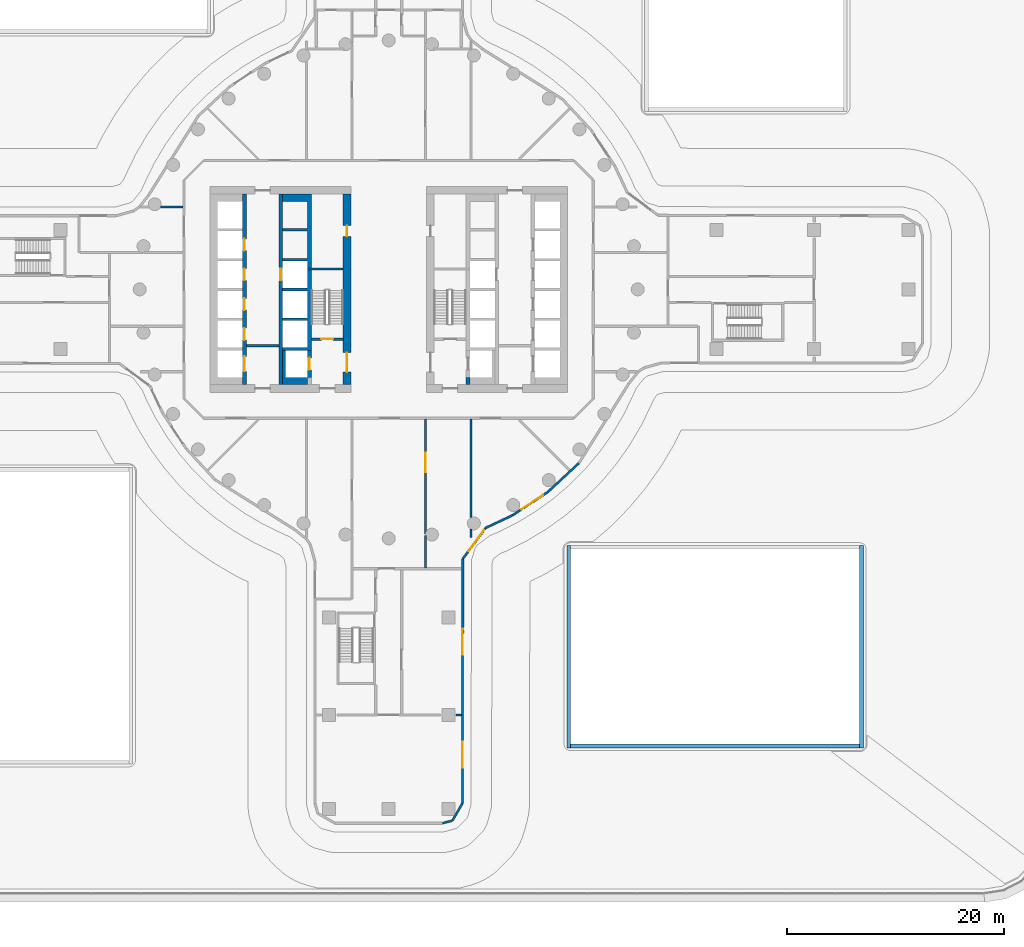
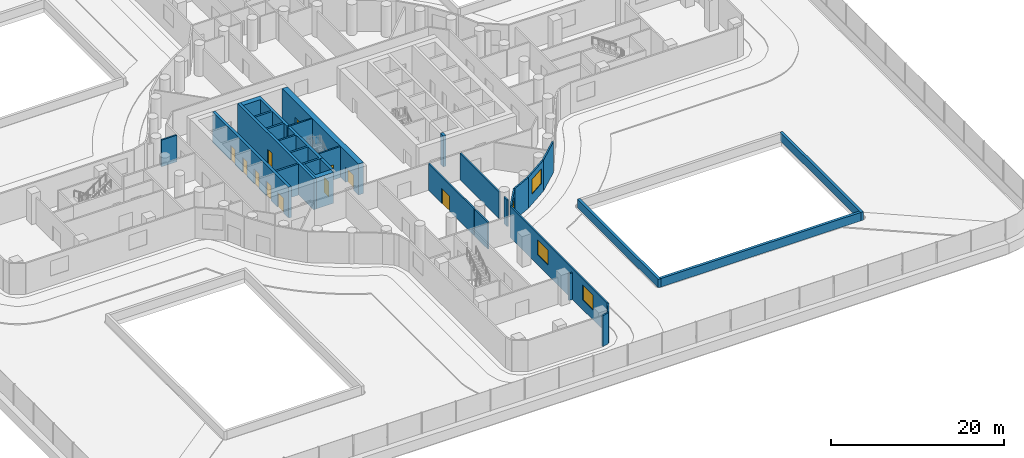
# One storey, part 24 of 37: 26 walls, 11 doors, 4 windows, 15 openings.
"""IFC4 building model written with IfcOpenShell, lengths in metres."""

from ifc_helpers import new_model, si_unit, direction, frame, frame_2d, origin, place, context, subcontext, project, spatial, polyline, rectangle, outline, extrude, material, layer, layer_set, type_object, element, fill, save


model = new_model("IFC4")

# Units and contexts
model_context = context("Model", 3, precision=1e-05, world=origin(), true_north=direction((0.0, 1.0)))
body_context = subcontext(model_context, "Body", "Model", "MODEL_VIEW")
ifc_project = project(units=[si_unit("LENGTHUNIT", "METRE"), si_unit("AREAUNIT", "SQUARE_METRE"), si_unit("VOLUMEUNIT", "CUBIC_METRE"), si_unit("PLANEANGLEUNIT", "RADIAN"), si_unit("MASSUNIT", "GRAM", prefix="KILO")], contexts=[model_context])

# Site, building, storey
site_placement = place(None, origin())
site = spatial("IfcSite", under=ifc_project, at=site_placement, CompositionType="ELEMENT")
building_placement = place(site_placement, origin())
building = spatial("IfcBuilding", under=site, at=building_placement, Name="Tamarind Cross Interchange Tower", CompositionType="ELEMENT")
storey_placement = place(building_placement, frame((0.0, 0.0, 29.5)))
storey = spatial("IfcBuildingStorey", under=building, at=storey_placement, Name="L05", CompositionType="ELEMENT", Elevation=29.5)

# Wall, openings, doors
ifc_material_1 = material(Name="Concrete C80", Category="concrete")
ifc_layer_1 = layer(ifc_material_1, 0.699951171875)
ifc_layer_set_1 = layer_set([ifc_layer_1], Name="Concrete C80")
wall_type_1 = type_object("IfcWallType", Name="Core wall 700 mm Concrete C80", PredefinedType="SHEAR", material=ifc_layer_set_1)
wall_1_placement = place(storey_placement, frame((-3.85009765625, -8.800048828125, 0.0), z_axis=(0.0, 0.0, 1.0), x_axis=(0.0, 1.0, 0.0)))
wall_1 = element("IfcWall", 1, at=wall_1_placement, inside=storey, type_object=wall_type_1, Name="Core wall CWL-L05-W-IN", PredefinedType="SHEAR", context=body_context, shape_type="SweptSolid", body=[
    extrude(rectangle(XDim=17.60009765625, YDim=0.699951171875, at=frame_2d((8.800048828125, 0.0))), origin(), (0.0, 0.0, 1.0), 4.360107421875),
])
opening_1_placement = place(wall_1_placement, frame((1.14990234375, 0.0, 0.0)))
opening_1 = element("IfcOpeningElement", 2, at=opening_1_placement, cuts=wall_1, Name="Opening DCW4", PredefinedType="OPENING", context=body_context, shape_type="SweptSolid", body=[
    extrude(rectangle(XDim=1.800048828125, YDim=2.10009765625, at=frame_2d((0.89990234375, 1.050048828125))), frame((0.0, 0.35986328125, 0.0), z_axis=(0.0, -1.0, 0.0), x_axis=(1.0, 0.0, 0.0)), (0.0, 0.0, 1.0), 0.719970703125),
])
opening_2_placement = place(wall_1_placement, frame((13.699951171875, 0.0, 0.0)))
opening_2 = element("IfcOpeningElement", 3, at=opening_2_placement, cuts=wall_1, Name="Opening DCW5", PredefinedType="OPENING", context=body_context, shape_type="SweptSolid", body=[
    extrude(rectangle(XDim=1.0, YDim=2.10009765625, at=frame_2d((0.5, 1.050048828125))), frame((0.0, 0.35986328125, 0.0), z_axis=(0.0, -1.0, 0.0), x_axis=(1.0, 0.0, 0.0)), (0.0, 0.0, 1.0), 0.719970703125),
])
ifc_material_2 = material(Name="Steel, fire-resisting", Category="steel")
door_type_1 = type_object("IfcDoorType", Name="Core fire door 1000 x 2100 FD90", OperationType="SINGLE_SWING_LEFT", PredefinedType="DOOR", material=ifc_material_2)
door_1_placement = place(opening_2_placement, origin())
door_1 = element("IfcDoor", 4, at=door_1_placement, inside=storey, type_object=door_type_1, Name="L05 riser room door", OperationType="SINGLE_SWING_LEFT", OverallHeight=2.10009765625, OverallWidth=1.0, PredefinedType="DOOR", context=body_context, shape_type="SweptSolid", body=[
    extrude(rectangle(XDim=1.0, YDim=2.10009765625, at=frame_2d((0.5, 1.050048828125))), frame((0.0, 0.02490234375, 0.0), z_axis=(0.0, -1.0, 0.0), x_axis=(1.0, 0.0, 0.0)), (0.0, 0.0, 1.0), 0.050048828125),
])
fill(opening_2, door_1)
door_type_2 = type_object("IfcDoorType", Name="Core fire door 1800 x 2100 FD90", OperationType="SINGLE_SWING_LEFT", PredefinedType="DOOR", material=ifc_material_2)
door_2_placement = place(opening_1_placement, origin())
door_2 = element("IfcDoor", 5, at=door_2_placement, inside=storey, type_object=door_type_2, Name="L05 firefighting lobby door", OperationType="SINGLE_SWING_LEFT", OverallHeight=2.10009765625, OverallWidth=1.800048828125, PredefinedType="DOOR", context=body_context, shape_type="SweptSolid", body=[
    extrude(rectangle(XDim=1.800048828125, YDim=2.10009765625, at=frame_2d((0.89990234375, 1.050048828125))), frame((0.0, 0.02490234375, 0.0), z_axis=(0.0, -1.0, 0.0), x_axis=(1.0, 0.0, 0.0)), (0.0, 0.0, 1.0), 0.050048828125),
])
fill(opening_1, door_2)

# Walls
ifc_layer_2 = layer(ifc_material_1, 0.199951171875)
ifc_layer_set_2 = layer_set([ifc_layer_2], Name="Concrete C80")
wall_type_2 = type_object("IfcWallType", Name="Core web wall 200 mm Concrete C80", PredefinedType="SHEAR", material=ifc_layer_set_2)
wall_2_placement = place(storey_placement, frame((-7.5, 1.89990234375, 0.0), z_axis=(0.0, 0.0, 1.0), x_axis=(1.0, 0.0, 0.0)))
element("IfcWall", 6, at=wall_2_placement, inside=storey, type_object=wall_type_2, Name="Core wall CWL-L05-W-BD", PredefinedType="SHEAR", context=body_context, shape_type="SweptSolid", body=[
    extrude(rectangle(XDim=3.300048828125, YDim=0.199951171875, at=frame_2d((1.64990234375, 0.0))), origin(), (0.0, 0.0, 1.0), 4.360107421875),
])
ifc_layer_3 = layer(ifc_material_1, 0.35009765625)
ifc_layer_set_3 = layer_set([ifc_layer_3], Name="Concrete C80")
wall_type_3 = type_object("IfcWallType", Name="Core web wall 350 mm Concrete C80", PredefinedType="SHEAR", material=ifc_layer_set_3)
wall_3_placement = place(storey_placement, origin())
element("IfcWall", 7, at=wall_3_placement, inside=storey, type_object=wall_type_3, Name="Core wall CWL-L05-W-BN", PredefinedType="SHEAR", context=body_context, shape_type="SweptSolid", body=[
    extrude(outline(polyline([(-9.800048828125, -5.375), (-9.800048828125, -5.625), (-7.5, -5.625), (-7.14990234375, -5.625), (-7.14990234375, 8.800048828125), (-7.5, 8.800048828125), (-9.800048828125, 8.800048828125), (-9.800048828125, 8.125), (-7.5, 8.125), (-7.5, 5.625), (-9.800048828125, 5.625), (-9.800048828125, 5.375), (-7.5, 5.375), (-7.5, 2.875), (-9.800048828125, 2.875), (-9.800048828125, 2.625), (-7.5, 2.625), (-7.5, 0.125), (-9.800048828125, 0.125), (-9.800048828125, -0.125), (-7.5, -0.125), (-7.5, -2.625), (-9.800048828125, -2.625), (-9.800048828125, -2.875), (-7.5, -2.875), (-7.5, -5.375), (-9.800048828125, -5.375)])), origin(), (0.0, 0.0, 1.0), 4.360107421875),
])
wall_4_placement = place(storey_placement, origin())
element("IfcWall", 8, at=wall_4_placement, inside=storey, type_object=wall_type_3, Name="Core wall CWL-L05-W-BS", PredefinedType="SHEAR", context=body_context, shape_type="SweptSolid", body=[
    extrude(outline(polyline([(-7.5, -8.125), (-9.550048828125, -8.125), (-9.550048828125, -5.625), (-9.800048828125, -5.625), (-9.800048828125, -8.125), (-9.800048828125, -8.800048828125), (-7.5, -8.800048828125), (-7.5, -8.125)])), origin(), (0.0, 0.0, 1.0), 4.360107421875),
])

# Wall, openings, doors
wall_5_placement = place(storey_placement, frame((-13.324951171875, -8.800048828125, 0.0), z_axis=(0.0, 0.0, 1.0), x_axis=(0.0, 1.0, 0.0)))
wall_5 = element("IfcWall", 9, at=wall_5_placement, inside=storey, type_object=wall_type_3, Name="Core wall CWL-L05-W-LA", PredefinedType="SHEAR", context=body_context, shape_type="SweptSolid", body=[
    extrude(rectangle(XDim=17.60009765625, YDim=0.35009765625, at=frame_2d((8.800048828125, 0.0))), origin(), (0.0, 0.0, 1.0), 4.360107421875),
])
opening_3_placement = place(wall_5_placement, frame((1.22509765625, 0.0, 0.0)))
opening_3 = element("IfcOpeningElement", 10, at=opening_3_placement, cuts=wall_5, Name="Opening LD1L05", PredefinedType="OPENING", context=body_context, shape_type="SweptSolid", body=[
    extrude(rectangle(XDim=1.39990234375, YDim=2.10009765625, at=frame_2d((0.699951171875, 1.050048828125))), frame((0.0, 0.18505859375, 0.0), z_axis=(0.0, -1.0, 0.0), x_axis=(1.0, 0.0, 0.0)), (0.0, 0.0, 1.0), 0.3701171875),
])
opening_4_placement = place(wall_5_placement, frame((4.125, 0.0, 0.0)))
opening_4 = element("IfcOpeningElement", 11, at=opening_4_placement, cuts=wall_5, Name="Opening LD2L05", PredefinedType="OPENING", context=body_context, shape_type="SweptSolid", body=[
    extrude(rectangle(XDim=1.10009765625, YDim=2.10009765625, at=frame_2d((0.550048828125, 1.050048828125))), frame((0.0, 0.18505859375, 0.0), z_axis=(0.0, -1.0, 0.0), x_axis=(1.0, 0.0, 0.0)), (0.0, 0.0, 1.0), 0.3701171875),
])
opening_5_placement = place(wall_5_placement, frame((6.875, 0.0, 0.0)))
opening_5 = element("IfcOpeningElement", 12, at=opening_5_placement, cuts=wall_5, Name="Opening LD3L05", PredefinedType="OPENING", context=body_context, shape_type="SweptSolid", body=[
    extrude(rectangle(XDim=1.10009765625, YDim=2.10009765625, at=frame_2d((0.550048828125, 1.050048828125))), frame((0.0, 0.18505859375, 0.0), z_axis=(0.0, -1.0, 0.0), x_axis=(1.0, 0.0, 0.0)), (0.0, 0.0, 1.0), 0.3701171875),
])
opening_6_placement = place(wall_5_placement, frame((9.625, 0.0, 0.0)))
opening_6 = element("IfcOpeningElement", 13, at=opening_6_placement, cuts=wall_5, Name="Opening LD4L05", PredefinedType="OPENING", context=body_context, shape_type="SweptSolid", body=[
    extrude(rectangle(XDim=1.10009765625, YDim=2.10009765625, at=frame_2d((0.550048828125, 1.050048828125))), frame((0.0, 0.18505859375, 0.0), z_axis=(0.0, -1.0, 0.0), x_axis=(1.0, 0.0, 0.0)), (0.0, 0.0, 1.0), 0.3701171875),
])
opening_7_placement = place(wall_5_placement, frame((12.375, 0.0, 0.0)))
opening_7 = element("IfcOpeningElement", 14, at=opening_7_placement, cuts=wall_5, Name="Opening LD5L05", PredefinedType="OPENING", context=body_context, shape_type="SweptSolid", body=[
    extrude(rectangle(XDim=1.10009765625, YDim=2.10009765625, at=frame_2d((0.550048828125, 1.050048828125))), frame((0.0, 0.18505859375, 0.0), z_axis=(0.0, -1.0, 0.0), x_axis=(1.0, 0.0, 0.0)), (0.0, 0.0, 1.0), 0.3701171875),
])
ifc_material_3 = material(Name="Stainless steel panel", Category="steel")
door_type_3 = type_object("IfcDoorType", Name="Lift landing door 1100 x 2100 E 120", OperationType="SLIDING_TO_LEFT", PredefinedType="DOOR", material=ifc_material_3)
door_3_placement = place(opening_4_placement, origin())
door_3 = element("IfcDoor", 15, at=door_3_placement, inside=storey, type_object=door_type_3, Name="L05 landing door LF2", OperationType="SLIDING_TO_LEFT", OverallHeight=2.10009765625, OverallWidth=1.10009765625, PredefinedType="DOOR", context=body_context, shape_type="SweptSolid", body=[
    extrude(rectangle(XDim=1.10009765625, YDim=2.10009765625, at=frame_2d((0.550048828125, 1.050048828125))), frame((0.0, 0.02490234375, 0.0), z_axis=(0.0, -1.0, 0.0), x_axis=(1.0, 0.0, 0.0)), (0.0, 0.0, 1.0), 0.050048828125),
])
fill(opening_4, door_3)
door_4_placement = place(opening_5_placement, origin())
door_4 = element("IfcDoor", 16, at=door_4_placement, inside=storey, type_object=door_type_3, Name="L05 landing door LF3", OperationType="SLIDING_TO_LEFT", OverallHeight=2.10009765625, OverallWidth=1.10009765625, PredefinedType="DOOR", context=body_context, shape_type="SweptSolid", body=[
    extrude(rectangle(XDim=1.10009765625, YDim=2.10009765625, at=frame_2d((0.550048828125, 1.050048828125))), frame((0.0, 0.02490234375, 0.0), z_axis=(0.0, -1.0, 0.0), x_axis=(1.0, 0.0, 0.0)), (0.0, 0.0, 1.0), 0.050048828125),
])
fill(opening_5, door_4)
door_5_placement = place(opening_6_placement, origin())
door_5 = element("IfcDoor", 17, at=door_5_placement, inside=storey, type_object=door_type_3, Name="L05 landing door LF4", OperationType="SLIDING_TO_LEFT", OverallHeight=2.10009765625, OverallWidth=1.10009765625, PredefinedType="DOOR", context=body_context, shape_type="SweptSolid", body=[
    extrude(rectangle(XDim=1.10009765625, YDim=2.10009765625, at=frame_2d((0.550048828125, 1.050048828125))), frame((0.0, 0.02490234375, 0.0), z_axis=(0.0, -1.0, 0.0), x_axis=(1.0, 0.0, 0.0)), (0.0, 0.0, 1.0), 0.050048828125),
])
fill(opening_6, door_5)
door_6_placement = place(opening_7_placement, origin())
door_6 = element("IfcDoor", 18, at=door_6_placement, inside=storey, type_object=door_type_3, Name="L05 landing door LF5", OperationType="SLIDING_TO_LEFT", OverallHeight=2.10009765625, OverallWidth=1.10009765625, PredefinedType="DOOR", context=body_context, shape_type="SweptSolid", body=[
    extrude(rectangle(XDim=1.10009765625, YDim=2.10009765625, at=frame_2d((0.550048828125, 1.050048828125))), frame((0.0, 0.02490234375, 0.0), z_axis=(0.0, -1.0, 0.0), x_axis=(1.0, 0.0, 0.0)), (0.0, 0.0, 1.0), 0.050048828125),
])
fill(opening_7, door_6)
door_type_4 = type_object("IfcDoorType", Name="Lift landing door 1400 x 2100 E 120", OperationType="SLIDING_TO_LEFT", PredefinedType="DOOR", material=ifc_material_3)
door_7_placement = place(opening_3_placement, origin())
door_7 = element("IfcDoor", 19, at=door_7_placement, inside=storey, type_object=door_type_4, Name="L05 landing door LF1", OperationType="SLIDING_TO_LEFT", OverallHeight=2.10009765625, OverallWidth=1.39990234375, PredefinedType="DOOR", context=body_context, shape_type="SweptSolid", body=[
    extrude(rectangle(XDim=1.39990234375, YDim=2.10009765625, at=frame_2d((0.699951171875, 1.050048828125))), frame((0.0, 0.02490234375, 0.0), z_axis=(0.0, -1.0, 0.0), x_axis=(1.0, 0.0, 0.0)), (0.0, 0.0, 1.0), 0.050048828125),
])
fill(opening_3, door_7)

# Wall, opening, door
wall_6_placement = place(storey_placement, frame((-9.97509765625, -8.800048828125, 0.0), z_axis=(0.0, 0.0, 1.0), x_axis=(0.0, 1.0, 0.0)))
wall_6 = element("IfcWall", 20, at=wall_6_placement, inside=storey, type_object=wall_type_3, Name="Core wall CWL-L05-W-LB", PredefinedType="SHEAR", context=body_context, shape_type="SweptSolid", body=[
    extrude(rectangle(XDim=17.60009765625, YDim=0.35009765625, at=frame_2d((8.800048828125, 0.0))), origin(), (0.0, 0.0, 1.0), 4.360107421875),
])
opening_8_placement = place(wall_6_placement, frame((9.625, 0.0, 0.0)))
opening_8 = element("IfcOpeningElement", 21, at=opening_8_placement, cuts=wall_6, Name="Opening LD10L05", PredefinedType="OPENING", context=body_context, shape_type="SweptSolid", body=[
    extrude(rectangle(XDim=1.10009765625, YDim=2.10009765625, at=frame_2d((0.550048828125, 1.050048828125))), frame((0.0, 0.18505859375, 0.0), z_axis=(0.0, -1.0, 0.0), x_axis=(1.0, 0.0, 0.0)), (0.0, 0.0, 1.0), 0.3701171875),
])
door_8_placement = place(opening_8_placement, origin())
door_8 = element("IfcDoor", 22, at=door_8_placement, inside=storey, type_object=door_type_3, Name="L05 landing door LF10", OperationType="SLIDING_TO_LEFT", OverallHeight=2.10009765625, OverallWidth=1.10009765625, PredefinedType="DOOR", context=body_context, shape_type="SweptSolid", body=[
    extrude(rectangle(XDim=1.10009765625, YDim=2.10009765625, at=frame_2d((0.550048828125, 1.050048828125))), frame((0.0, 0.02490234375, 0.0), z_axis=(0.0, -1.0, 0.0), x_axis=(1.0, 0.0, 0.0)), (0.0, 0.0, 1.0), 0.050048828125),
])
fill(opening_8, door_8)

wall_7_placement = place(storey_placement, frame((-7.324951171875, -8.125, 0.0), z_axis=(0.0, 0.0, 1.0), x_axis=(0.0, 1.0, 0.0)))
wall_7 = element("IfcWall", 23, at=wall_7_placement, inside=storey, type_object=wall_type_3, Name="Core wall CWL-L05-W-FF", PredefinedType="SHEAR", context=body_context, shape_type="SweptSolid", body=[
    extrude(rectangle(XDim=2.5, YDim=0.35009765625, at=frame_2d((1.25, 0.0))), origin(), (0.0, 0.0, 1.0), 4.360107421875),
])
opening_9_placement = place(wall_7_placement, frame((0.699951171875, 0.0, 0.0)))
opening_9 = element("IfcOpeningElement", 24, at=opening_9_placement, cuts=wall_7, Name="Opening LD7L05", PredefinedType="OPENING", context=body_context, shape_type="SweptSolid", body=[
    extrude(rectangle(XDim=1.10009765625, YDim=2.10009765625, at=frame_2d((0.550048828125, 1.050048828125))), frame((0.0, 0.18505859375, 0.0), z_axis=(0.0, -1.0, 0.0), x_axis=(1.0, 0.0, 0.0)), (0.0, 0.0, 1.0), 0.3701171875),
])
door_9_placement = place(opening_9_placement, origin())
door_9 = element("IfcDoor", 25, at=door_9_placement, inside=storey, type_object=door_type_3, Name="L05 landing door LF7", OperationType="SLIDING_TO_LEFT", OverallHeight=2.10009765625, OverallWidth=1.10009765625, PredefinedType="DOOR", context=body_context, shape_type="SweptSolid", body=[
    extrude(rectangle(XDim=1.10009765625, YDim=2.10009765625, at=frame_2d((0.550048828125, 1.050048828125))), frame((0.0, 0.02490234375, 0.0), z_axis=(0.0, -1.0, 0.0), x_axis=(1.0, 0.0, 0.0)), (0.0, 0.0, 1.0), 0.050048828125),
])
fill(opening_9, door_9)

# Walls
wall_8_placement = place(storey_placement, frame((7.324951171875, -8.800048828125, 0.0), z_axis=(0.0, 0.0, 1.0), x_axis=(0.0, 1.0, 0.0)))
element("IfcWall", 26, at=wall_8_placement, inside=storey, type_object=wall_type_3, Name="Core wall CWL-L05-E-BW", PredefinedType="SHEAR", context=body_context, shape_type="SweptSolid", body=[
    extrude(rectangle(XDim=0.675048828125, YDim=0.35009765625, at=frame_2d((0.33740234375, 0.0))), origin(), (0.0, 0.0, 1.0), 4.360107421875),
])
ifc_material_4 = material(Name="Gypsum board partition on steel studs", Category="steel")
ifc_layer_4 = layer(ifc_material_4, 0.199951171875)
ifc_layer_set_4 = layer_set([ifc_layer_4], Name="Gypsum board partition on steel studs")
wall_type_4 = type_object("IfcWallType", Name="Partition 200 mm EI 180", PredefinedType="PARTITIONING", material=ifc_layer_set_4)
wall_9_placement = place(storey_placement, frame((-21.07421875, 7.60009765625, 0.0), z_axis=(0.0, 0.0, 1.0), x_axis=(1.0, 0.0, 0.0)))
element("IfcWall", 27, at=wall_9_placement, inside=storey, type_object=wall_type_4, Name="Partition L05-024", PredefinedType="PARTITIONING", context=body_context, shape_type="SweptSolid", body=[
    extrude(rectangle(XDim=2.089111328125, YDim=0.199951171875, at=frame_2d((1.04443359375, 0.0))), origin(), (0.0, 0.0, 1.0), 3.760009765625),
])
wall_10_placement = place(storey_placement, frame((6.22998046875, -39.300048828125, 0.0), z_axis=(0.0, 0.0, 1.0), x_axis=(1.0, 0.0, 0.0)))
element("IfcWall", 28, at=wall_10_placement, inside=storey, type_object=wall_type_4, Name="Partition L05-033", PredefinedType="PARTITIONING", context=body_context, shape_type="SweptSolid", body=[
    extrude(rectangle(XDim=0.485107421875, YDim=0.199951171875, at=frame_2d((0.24267578125, 0.0))), origin(), (0.0, 0.0, 1.0), 3.760009765625),
])
wall_11_placement = place(storey_placement, frame((3.39990234375, -25.715087890625, 0.0), z_axis=(0.0, 0.0, 1.0), x_axis=(0.0, 1.0, 0.0)))
element("IfcWall", 29, at=wall_11_placement, inside=storey, type_object=wall_type_4, Name="Partition L05-068", PredefinedType="PARTITIONING", context=body_context, shape_type="SweptSolid", body=[
    extrude(rectangle(XDim=3.00439453125, YDim=0.199951171875, at=frame_2d((1.502197265625, 0.0))), origin(), (0.0, 0.0, 1.0), 3.760009765625),
])

# Wall, opening, door
wall_12_placement = place(storey_placement, frame((3.39990234375, -22.590576171875, 0.0), z_axis=(0.0, 0.0, 1.0), x_axis=(0.0, 1.0, 0.0)))
wall_12 = element("IfcWall", 30, at=wall_12_placement, inside=storey, type_object=wall_type_4, Name="Partition L05-069", PredefinedType="PARTITIONING", context=body_context, shape_type="SweptSolid", body=[
    extrude(rectangle(XDim=10.610595703125, YDim=0.199951171875, at=frame_2d((5.30517578125, 0.0))), origin(), (0.0, 0.0, 1.0), 3.760009765625),
])
opening_10_placement = place(wall_12_placement, frame((5.699951171875, 0.0, 0.0)))
opening_10 = element("IfcOpeningElement", 31, at=opening_10_placement, cuts=wall_12, Name="Opening D32", PredefinedType="OPENING", context=body_context, shape_type="SweptSolid", body=[
    extrude(rectangle(XDim=1.800048828125, YDim=2.10009765625, at=frame_2d((0.89990234375, 1.050048828125))), frame((0.0, 0.10986328125, 0.0), z_axis=(0.0, -1.0, 0.0), x_axis=(1.0, 0.0, 0.0)), (0.0, 0.0, 1.0), 0.219970703125),
])
ifc_material_5 = material(Name="Fire-resisting door set")
door_type_5 = type_object("IfcDoorType", Name="Interior door 1800 x 2100 FD120S", OperationType="DOUBLE_DOOR_SINGLE_SWING", PredefinedType="DOOR", material=ifc_material_5)
door_10_placement = place(opening_10_placement, frame((1.800048828125, 0.0, 0.0), z_axis=(0.0, 0.0, 1.0), x_axis=(-1.0, 0.0, 0.0)))
door_10 = element("IfcDoor", 32, at=door_10_placement, inside=storey, type_object=door_type_5, Name="Door D32", OperationType="DOUBLE_DOOR_SINGLE_SWING", OverallHeight=2.10009765625, OverallWidth=1.800048828125, PredefinedType="DOOR", context=body_context, shape_type="SweptSolid", body=[
    extrude(rectangle(XDim=1.800048828125, YDim=2.10009765625, at=frame_2d((0.89990234375, 1.050048828125))), frame((0.0, 0.02490234375, 0.0), z_axis=(0.0, -1.0, 0.0), x_axis=(1.0, 0.0, 0.0)), (0.0, 0.0, 1.0), 0.050048828125),
])
fill(opening_10, door_10)

# Walls
wall_13_placement = place(storey_placement, frame((7.60009765625, -22.921875, 0.0), z_axis=(0.0, 0.0, 1.0), x_axis=(0.0, 1.0, 0.0)))
element("IfcWall", 33, at=wall_13_placement, inside=storey, type_object=wall_type_4, Name="Partition L05-072", PredefinedType="PARTITIONING", context=body_context, shape_type="SweptSolid", body=[
    extrude(rectangle(XDim=0.770263671875, YDim=0.199951171875, at=frame_2d((0.38525390625, 0.0))), origin(), (0.0, 0.0, 1.0), 3.760009765625),
])
wall_14_placement = place(storey_placement, frame((7.60009765625, -21.07421875, 0.0), z_axis=(0.0, 0.0, 1.0), x_axis=(0.0, 1.0, 0.0)))
element("IfcWall", 34, at=wall_14_placement, inside=storey, type_object=wall_type_4, Name="Partition L05-073", PredefinedType="PARTITIONING", context=body_context, shape_type="SweptSolid", body=[
    extrude(rectangle(XDim=9.09423828125, YDim=0.199951171875, at=frame_2d((4.547119140625, 0.0))), origin(), (0.0, 0.0, 1.0), 3.760009765625),
])
ifc_material_6 = material(Name="Precast concrete C40", Category="concrete")
ifc_layer_5 = layer(ifc_material_6, 0.35009765625)
ifc_layer_set_5 = layer_set([ifc_layer_5], Name="Precast concrete C40")
wall_type_5 = type_object("IfcWallType", Name="Podium facade wall", PredefinedType="SOLIDWALL", material=ifc_layer_set_5)
wall_15_placement = place(storey_placement, frame((16.800048828125, -42.175048828125, 0.0), z_axis=(0.0, 0.0, 1.0), x_axis=(1.0, 0.0, 0.0)))
element("IfcWall", 35, at=wall_15_placement, inside=storey, type_object=wall_type_5, Name="CTW-L05-SES00", PredefinedType="SOLIDWALL", context=body_context, shape_type="SweptSolid", body=[
    extrude(rectangle(XDim=26.699951171875, YDim=0.35009765625, at=frame_2d((13.35009765625, 0.0))), origin(), (0.0, 0.0, 1.0), 1.199951171875),
])
for number, where, z_axis, x_axis, name in (
    (36, (16.625, -42.35009765625, 0.0), (0.0, 0.0, 1.0), (0.0, 1.0, 0.0), "CTW-L05-SEW00"),
    (37, (43.675048828125, -42.35009765625, 0.0), (0.0, 0.0, 1.0), (0.0, 1.0, 0.0), "CTW-L05-SEE00"),
):
    element("IfcWall", number, at=place(storey_placement, frame(where, z_axis=z_axis, x_axis=x_axis)), inside=storey, type_object=wall_type_5, Name=name, PredefinedType="SOLIDWALL", context=body_context, shape_type="SweptSolid", body=[
        extrude(rectangle(XDim=18.7001953125, YDim=0.35009765625, at=frame_2d((9.35009765625, 0.0))), origin(), (0.0, 0.0, 1.0), 1.199951171875),
    ])
ifc_layer_6 = layer(ifc_material_6, 0.199951171875)
ifc_layer_set_6 = layer_set([ifc_layer_6], Name="Precast concrete C40")
wall_type_6 = type_object("IfcWallType", Name="Refuge level external wall", PredefinedType="SOLIDWALL", material=ifc_layer_set_6)
wall_16_placement = place(storey_placement, frame((4.9736328125, -49.3076171875, 0.0), z_axis=(0.0, 0.0, 1.0), x_axis=(0.96591611198, 0.258855296676, 0.0)))
element("IfcWall", 38, at=wall_16_placement, inside=storey, type_object=wall_type_6, Name="RFW-L05-05-1", PredefinedType="SOLIDWALL", context=body_context, shape_type="SweptSolid", body=[
    extrude(rectangle(XDim=0.955322265625, YDim=0.199951171875, at=frame_2d((0.4775390625, 0.0))), origin(), (0.0, 0.0, 1.0), 4.360107421875),
])
wall_17_placement = place(storey_placement, frame((5.896484375, -49.060302734375, 0.0), z_axis=(0.0, 0.0, 1.0), x_axis=(0.496586815041, 0.867987059309, 0.0)))
element("IfcWall", 39, at=wall_17_placement, inside=storey, type_object=wall_type_6, Name="RFW-L05-05-2", PredefinedType="SOLIDWALL", context=body_context, shape_type="SweptSolid", body=[
    extrude(rectangle(XDim=1.819580078125, YDim=0.199951171875, at=frame_2d((0.90966796875, 0.0))), origin(), (0.0, 0.0, 1.0), 4.360107421875),
])

# Wall, openings, windows
wall_18_placement = place(storey_placement, frame((6.800048828125, -47.48095703125, 0.0), z_axis=(0.0, 0.0, 1.0), x_axis=(0.001966415802, 0.999998066603, 0.0)))
wall_18 = element("IfcWall", 40, at=wall_18_placement, inside=storey, type_object=wall_type_6, Name="RFW-L05-06-0", PredefinedType="SOLIDWALL", context=body_context, shape_type="SweptSolid", body=[
    extrude(rectangle(XDim=22.59619140625, YDim=0.199951171875, at=frame_2d((11.298095703125, 0.0))), origin(), (0.0, 0.0, 1.0), 4.360107421875),
])
opening_11_placement = place(wall_18_placement, frame((3.300048828125, 0.0, 1.39990234375)))
opening_11 = element("IfcOpeningElement", 41, at=opening_11_placement, cuts=wall_18, Name="Opening W3", PredefinedType="OPENING", context=body_context, shape_type="SweptSolid", body=[
    extrude(rectangle(XDim=2.39990234375, YDim=2.10009765625, at=frame_2d((1.199951171875, 1.050048828125))), frame((0.0, 0.10986328125, 0.0), z_axis=(0.0, -1.0, 0.0), x_axis=(1.0, 0.0, 0.0)), (0.0, 0.0, 1.0), 0.219970703125),
])
opening_12_placement = place(wall_18_placement, frame((13.75, 0.0, 1.39990234375)))
opening_12 = element("IfcOpeningElement", 42, at=opening_12_placement, cuts=wall_18, Name="Opening W3", PredefinedType="OPENING", context=body_context, shape_type="SweptSolid", body=[
    extrude(rectangle(XDim=2.39990234375, YDim=2.10009765625, at=frame_2d((1.199951171875, 1.050048828125))), frame((0.0, 0.10986328125, 0.0), z_axis=(0.0, -1.0, 0.0), x_axis=(1.0, 0.0, 0.0)), (0.0, 0.0, 1.0), 0.219970703125),
])
ifc_material_7 = material(Name="Aluminium and fire-resisting glass", Category="aluminium")
window_type = type_object("IfcWindowType", Name="Refuge rescue window", PartitioningType="DOUBLE_PANEL_VERTICAL", PredefinedType="WINDOW", material=ifc_material_7)
window_1_placement = place(opening_11_placement, origin())
window_1 = element("IfcWindow", 43, at=window_1_placement, inside=storey, type_object=window_type, Name="RSW-L05-06-01", OverallHeight=2.10009765625, OverallWidth=2.39990234375, PartitioningType="SINGLE_PANEL", PredefinedType="WINDOW", context=body_context, shape_type="SweptSolid", body=[
    extrude(rectangle(XDim=2.39990234375, YDim=2.10009765625, at=frame_2d((1.199951171875, 1.050048828125))), frame((0.0, 0.030029296875, 0.0), z_axis=(0.0, -1.0, 0.0), x_axis=(1.0, 0.0, 0.0)), (0.0, 0.0, 1.0), 0.06005859375),
])
fill(opening_11, window_1)
window_2_placement = place(opening_12_placement, origin())
window_2 = element("IfcWindow", 44, at=window_2_placement, inside=storey, type_object=window_type, Name="RSW-L05-06-02", OverallHeight=2.10009765625, OverallWidth=2.39990234375, PartitioningType="SINGLE_PANEL", PredefinedType="WINDOW", context=body_context, shape_type="SweptSolid", body=[
    extrude(rectangle(XDim=2.39990234375, YDim=2.10009765625, at=frame_2d((1.199951171875, 1.050048828125))), frame((0.0, 0.030029296875, 0.0), z_axis=(0.0, -1.0, 0.0), x_axis=(1.0, 0.0, 0.0)), (0.0, 0.0, 1.0), 0.06005859375),
])
fill(opening_12, window_2)

# Wall, opening, window
wall_19_placement = place(storey_placement, frame((6.844482421875, -24.884765625, 0.0), z_axis=(0.0, 0.0, 1.0), x_axis=(0.594098572278, 0.804392246617, 0.0)))
wall_19 = element("IfcWall", 45, at=wall_19_placement, inside=storey, type_object=wall_type_6, Name="RFW-L05-07-0", PredefinedType="SOLIDWALL", context=body_context, shape_type="SweptSolid", body=[
    extrude(rectangle(XDim=3.54443359375, YDim=0.199951171875, at=frame_2d((1.772216796875, 0.0))), origin(), (0.0, 0.0, 1.0), 4.360107421875),
])
opening_13_placement = place(wall_19_placement, frame((0.89990234375, 0.0, 1.39990234375)))
opening_13 = element("IfcOpeningElement", 46, at=opening_13_placement, cuts=wall_19, Name="Opening W3", PredefinedType="OPENING", context=body_context, shape_type="SweptSolid", body=[
    extrude(rectangle(XDim=2.39990234375, YDim=2.10009765625, at=frame_2d((1.199951171875, 1.050048828125))), frame((0.0, 0.10986328125, 0.0), z_axis=(0.0, -1.0, 0.0), x_axis=(1.0, 0.0, 0.0)), (0.0, 0.0, 1.0), 0.219970703125),
])
window_3_placement = place(opening_13_placement, origin())
window_3 = element("IfcWindow", 47, at=window_3_placement, inside=storey, type_object=window_type, Name="RSW-L05-07-01", OverallHeight=2.10009765625, OverallWidth=2.39990234375, PartitioningType="SINGLE_PANEL", PredefinedType="WINDOW", context=body_context, shape_type="SweptSolid", body=[
    extrude(rectangle(XDim=2.39990234375, YDim=2.10009765625, at=frame_2d((1.199951171875, 1.050048828125))), frame((0.0, 0.030029296875, 0.0), z_axis=(0.0, -1.0, 0.0), x_axis=(1.0, 0.0, 0.0)), (0.0, 0.0, 1.0), 0.06005859375),
])
fill(opening_13, window_3)

# Wall
wall_20_placement = place(storey_placement, frame((8.9501953125, -22.03369140625, 0.0), z_axis=(0.0, 0.0, 1.0), x_axis=(0.90557737159, 0.424181121769, 0.0)))
element("IfcWall", 48, at=wall_20_placement, inside=storey, type_object=wall_type_6, Name="RFW-L05-07-1", PredefinedType="SOLIDWALL", context=body_context, shape_type="SweptSolid", body=[
    extrude(rectangle(XDim=2.722412109375, YDim=0.199951171875, at=frame_2d((1.361328125, 0.0))), origin(), (0.0, 0.0, 1.0), 4.360107421875),
])

# Wall, opening, window
wall_21_placement = place(storey_placement, frame((11.41552734375, -20.87890625, 0.0), z_axis=(0.0, 0.0, 1.0), x_axis=(0.834783006394, 0.550579088084, 0.0)))
wall_21 = element("IfcWall", 49, at=wall_21_placement, inside=storey, type_object=wall_type_6, Name="RFW-L05-07-2", PredefinedType="SOLIDWALL", context=body_context, shape_type="SweptSolid", body=[
    extrude(rectangle(XDim=3.93017578125, YDim=0.199951171875, at=frame_2d((1.965087890625, 0.0))), origin(), (0.0, 0.0, 1.0), 4.360107421875),
])
opening_14_placement = place(wall_21_placement, frame((1.0, 0.0, 1.39990234375)))
opening_14 = element("IfcOpeningElement", 50, at=opening_14_placement, cuts=wall_21, Name="Opening W3", PredefinedType="OPENING", context=body_context, shape_type="SweptSolid", body=[
    extrude(rectangle(XDim=2.39990234375, YDim=2.10009765625, at=frame_2d((1.199951171875, 1.050048828125))), frame((0.0, 0.10986328125, 0.0), z_axis=(0.0, -1.0, 0.0), x_axis=(1.0, 0.0, 0.0)), (0.0, 0.0, 1.0), 0.219970703125),
])
window_4_placement = place(opening_14_placement, origin())
window_4 = element("IfcWindow", 51, at=window_4_placement, inside=storey, type_object=window_type, Name="RSW-L05-07-21", OverallHeight=2.10009765625, OverallWidth=2.39990234375, PartitioningType="SINGLE_PANEL", PredefinedType="WINDOW", context=body_context, shape_type="SweptSolid", body=[
    extrude(rectangle(XDim=2.39990234375, YDim=2.10009765625, at=frame_2d((1.199951171875, 1.050048828125))), frame((0.0, 0.030029296875, 0.0), z_axis=(0.0, -1.0, 0.0), x_axis=(1.0, 0.0, 0.0)), (0.0, 0.0, 1.0), 0.06005859375),
])
fill(opening_14, window_4)

# Walls
wall_22_placement = place(storey_placement, frame((14.6962890625, -18.715087890625, 0.0), z_axis=(0.0, 0.0, 1.0), x_axis=(0.732835527935, 0.680405826691, 0.0)))
element("IfcWall", 52, at=wall_22_placement, inside=storey, type_object=wall_type_6, Name="RFW-L05-07-3", PredefinedType="SOLIDWALL", context=body_context, shape_type="SweptSolid", body=[
    extrude(rectangle(XDim=3.93017578125, YDim=0.199951171875, at=frame_2d((1.965087890625, 0.0))), origin(), (0.0, 0.0, 1.0), 4.360107421875),
])
ifc_material_8 = material(Name="Concrete C40", Category="concrete")
ifc_layer_7 = layer(ifc_material_8, 0.25)
ifc_layer_set_7 = layer_set([ifc_layer_7], Name="Concrete C40")
wall_type_7 = type_object("IfcWallType", Name="Shaft and lobby wall 250 mm Concrete C40", PredefinedType="PARTITIONING", material=ifc_layer_set_7)
wall_23_placement = place(storey_placement, frame((-13.14990234375, -5.199951171875, 0.0), z_axis=(0.0, 0.0, 1.0), x_axis=(1.0, 0.0, 0.0)))
element("IfcWall", 53, at=wall_23_placement, inside=storey, type_object=wall_type_7, Name="Shaft wall CWL-L05-W-EVP", PredefinedType="PARTITIONING", context=body_context, shape_type="SweptSolid", body=[
    extrude(rectangle(XDim=3.0, YDim=0.25, at=frame_2d((1.5, 0.0))), origin(), (0.0, 0.0, 1.0), 4.360107421875),
])

# Wall, opening, door
ifc_layer_8 = layer(ifc_material_8, 0.199951171875)
ifc_layer_set_8 = layer_set([ifc_layer_8], Name="Concrete C40")
wall_type_8 = type_object("IfcWallType", Name="Stair shaft wall 200 mm Concrete C40", PredefinedType="SHEAR", material=ifc_layer_set_8)
wall_24_placement = place(storey_placement, frame((-7.14990234375, -4.60009765625, 0.0), z_axis=(0.0, 0.0, 1.0), x_axis=(1.0, 0.0, 0.0)))
wall_24 = element("IfcWall", 54, at=wall_24_placement, inside=storey, type_object=wall_type_8, Name="Core wall CWL-L05-W-SD", PredefinedType="SHEAR", context=body_context, shape_type="SweptSolid", body=[
    extrude(rectangle(XDim=2.949951171875, YDim=0.199951171875, at=frame_2d((1.47509765625, 0.0))), origin(), (0.0, 0.0, 1.0), 4.360107421875),
])
opening_15_placement = place(wall_24_placement, frame((0.925048828125, 0.0, 0.0)))
opening_15 = element("IfcOpeningElement", 55, at=opening_15_placement, cuts=wall_24, Name="Opening DCW6", PredefinedType="OPENING", context=body_context, shape_type="SweptSolid", body=[
    extrude(rectangle(XDim=1.10009765625, YDim=2.10009765625, at=frame_2d((0.550048828125, 1.050048828125))), frame((0.0, 0.10986328125, 0.0), z_axis=(0.0, -1.0, 0.0), x_axis=(1.0, 0.0, 0.0)), (0.0, 0.0, 1.0), 0.219970703125),
])
door_type_6 = type_object("IfcDoorType", Name="Core fire door 1100 x 2100 FD90", OperationType="SINGLE_SWING_LEFT", PredefinedType="DOOR", material=ifc_material_2)
door_11_placement = place(opening_15_placement, origin())
door_11 = element("IfcDoor", 56, at=door_11_placement, inside=storey, type_object=door_type_6, Name="L05 stair door", OperationType="SINGLE_SWING_LEFT", OverallHeight=2.10009765625, OverallWidth=1.10009765625, PredefinedType="DOOR", context=body_context, shape_type="SweptSolid", body=[
    extrude(rectangle(XDim=1.10009765625, YDim=2.10009765625, at=frame_2d((0.550048828125, 1.050048828125))), frame((0.0, 0.02490234375, 0.0), z_axis=(0.0, -1.0, 0.0), x_axis=(1.0, 0.0, 0.0)), (0.0, 0.0, 1.0), 0.050048828125),
])
fill(opening_15, door_11)

save(model, "model.ifc")
